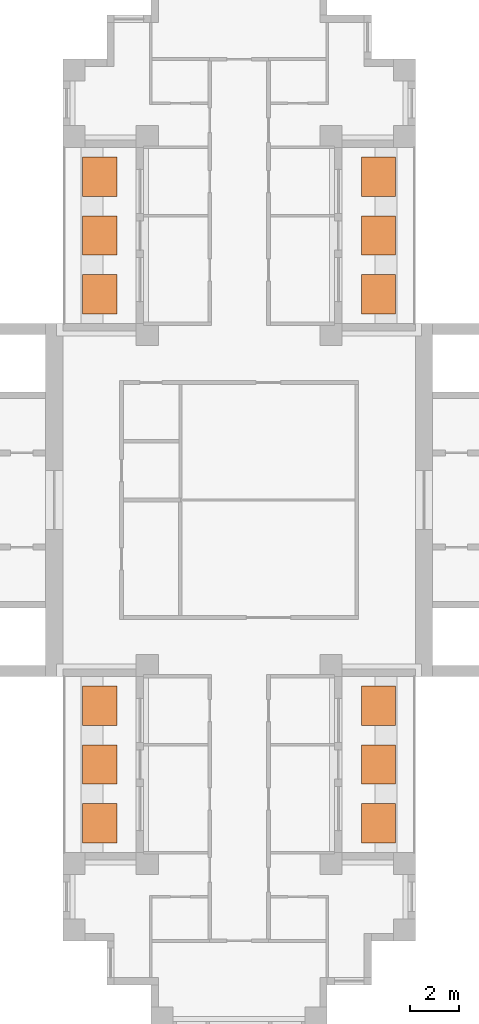
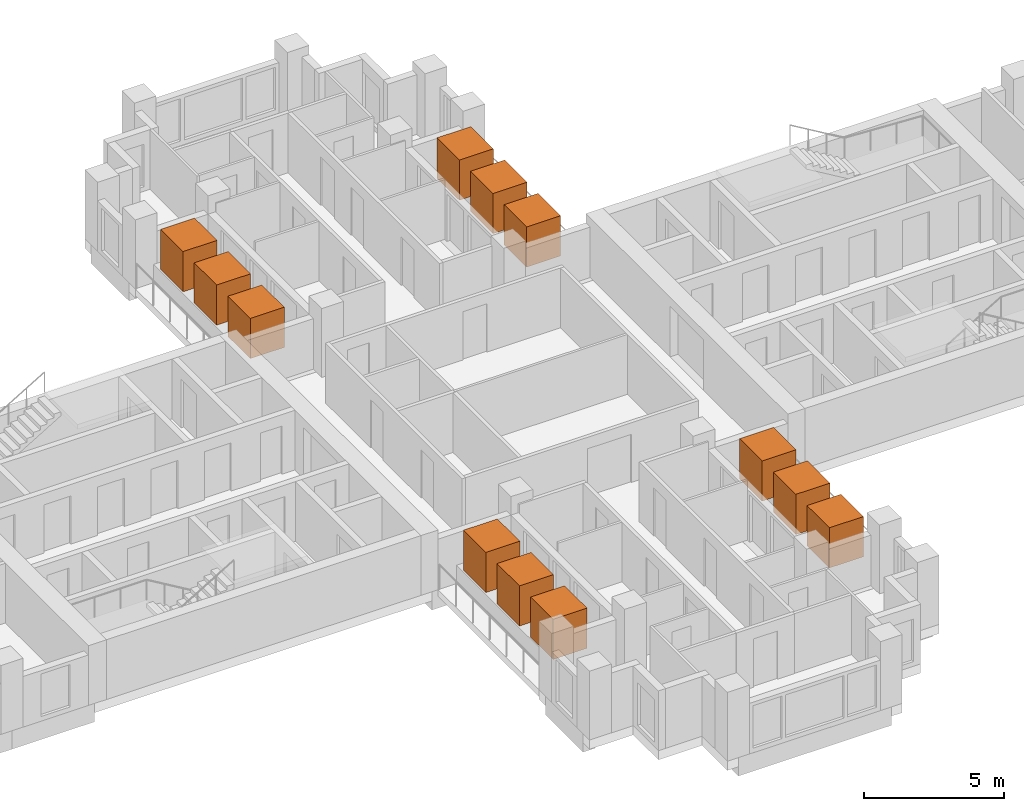
# One storey, part 12 of 12: 12 geographic elements.
"""IFC4 building model written with IfcOpenShell, lengths in metres."""

from ifc_helpers import new_model, si_unit, direction, frame, origin, origin_2d, place, context, subcontext, project, spatial, rectangle, extrude, material, element, save


model = new_model("IFC4")

# Units and contexts
model_context = context("Model", 3, precision=1e-05, world=origin(), true_north=direction((0.0, 1.0)))
body_context = subcontext(model_context, "Body", "Model", "MODEL_VIEW")
ifc_project = project(units=[si_unit("LENGTHUNIT", "METRE"), si_unit("AREAUNIT", "SQUARE_METRE"), si_unit("VOLUMEUNIT", "CUBIC_METRE"), si_unit("PLANEANGLEUNIT", "RADIAN"), si_unit("MASSUNIT", "GRAM", prefix="KILO")], contexts=[model_context])

# Site, building, storey
site_placement = place(None, origin())
site = spatial("IfcSite", under=ifc_project, at=site_placement, CompositionType="ELEMENT")
building_placement = place(site_placement, origin())
building = spatial("IfcBuilding", under=site, at=building_placement, Name="Fustian Cross Tower", CompositionType="ELEMENT")
storey_placement = place(building_placement, frame((0.0, 0.0, 150.300048828125)))
storey = spatial("IfcBuildingStorey", under=building, at=storey_placement, Name="L47", CompositionType="ELEMENT", Elevation=150.300048828125)

# Geographic elements
ifc_material = material(Name="Evergreen foliage")
for number, where, z_axis, x_axis, name in (
    (1, (5.68994140625, 8.39990234375, 0.800048828125), (0.0, 0.0, 1.0), (1.0, 0.0, 0.0), "TREE field maple"),
    (2, (5.68994140625, 10.800048828125, 0.800048828125), (0.0, 0.0, 1.0), (1.0, 0.0, 0.0), "TREE field maple"),
    (3, (5.68994140625, 13.199951171875, 0.800048828125), (0.0, 0.0, 1.0), (1.0, 0.0, 0.0), "TREE field maple"),
    (4, (-5.68994140625, 8.39990234375, 0.800048828125), (0.0, 0.0, 1.0), (1.0, 0.0, 0.0), "TREE field maple"),
    (5, (-5.68994140625, 10.800048828125, 0.800048828125), (0.0, 0.0, 1.0), (1.0, 0.0, 0.0), "TREE field maple"),
    (6, (-5.68994140625, 13.199951171875, 0.800048828125), (0.0, 0.0, 1.0), (1.0, 0.0, 0.0), "TREE field maple"),
    (7, (5.68994140625, -13.199951171875, 0.800048828125), (0.0, 0.0, 1.0), (1.0, 0.0, 0.0), "TREE field maple"),
    (8, (5.68994140625, -10.800048828125, 0.800048828125), (0.0, 0.0, 1.0), (1.0, 0.0, 0.0), "TREE field maple"),
    (9, (5.68994140625, -8.39990234375, 0.800048828125), (0.0, 0.0, 1.0), (1.0, 0.0, 0.0), "TREE field maple"),
    (10, (-5.68994140625, -13.199951171875, 0.800048828125), (0.0, 0.0, 1.0), (1.0, 0.0, 0.0), "TREE field maple"),
    (11, (-5.68994140625, -10.800048828125, 0.800048828125), (0.0, 0.0, 1.0), (1.0, 0.0, 0.0), "TREE field maple"),
    (12, (-5.68994140625, -8.39990234375, 0.800048828125), (0.0, 0.0, 1.0), (1.0, 0.0, 0.0), "TREE field maple"),
):
    element("IfcGeographicElement", number, at=place(storey_placement, frame(where, z_axis=z_axis, x_axis=x_axis)), inside=storey, material=ifc_material, Name=name, ObjectType="VEGETATION", PredefinedType="USERDEFINED", context=body_context, shape_type="SweptSolid", body=[
        extrude(rectangle(XDim=1.39990234375, YDim=1.60009765625, at=origin_2d()), origin(), (0.0, 0.0, 1.0), 1.75),
    ])

save(model, "model.ifc")
